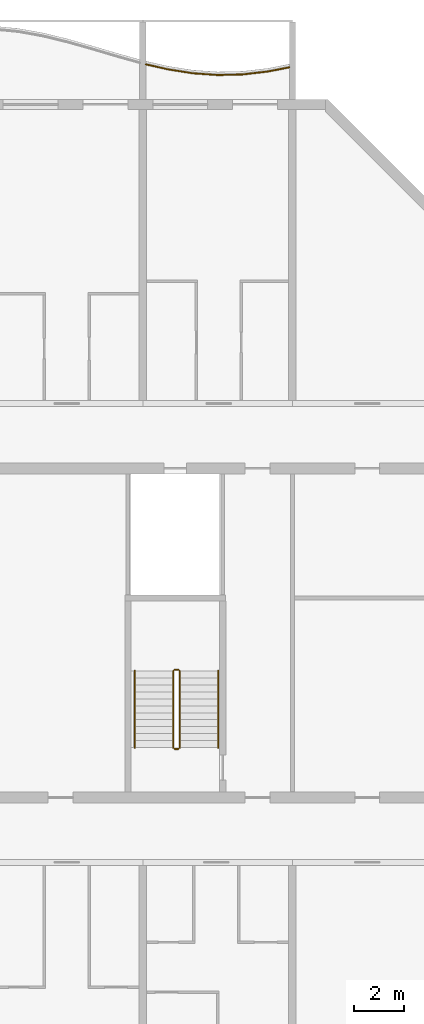
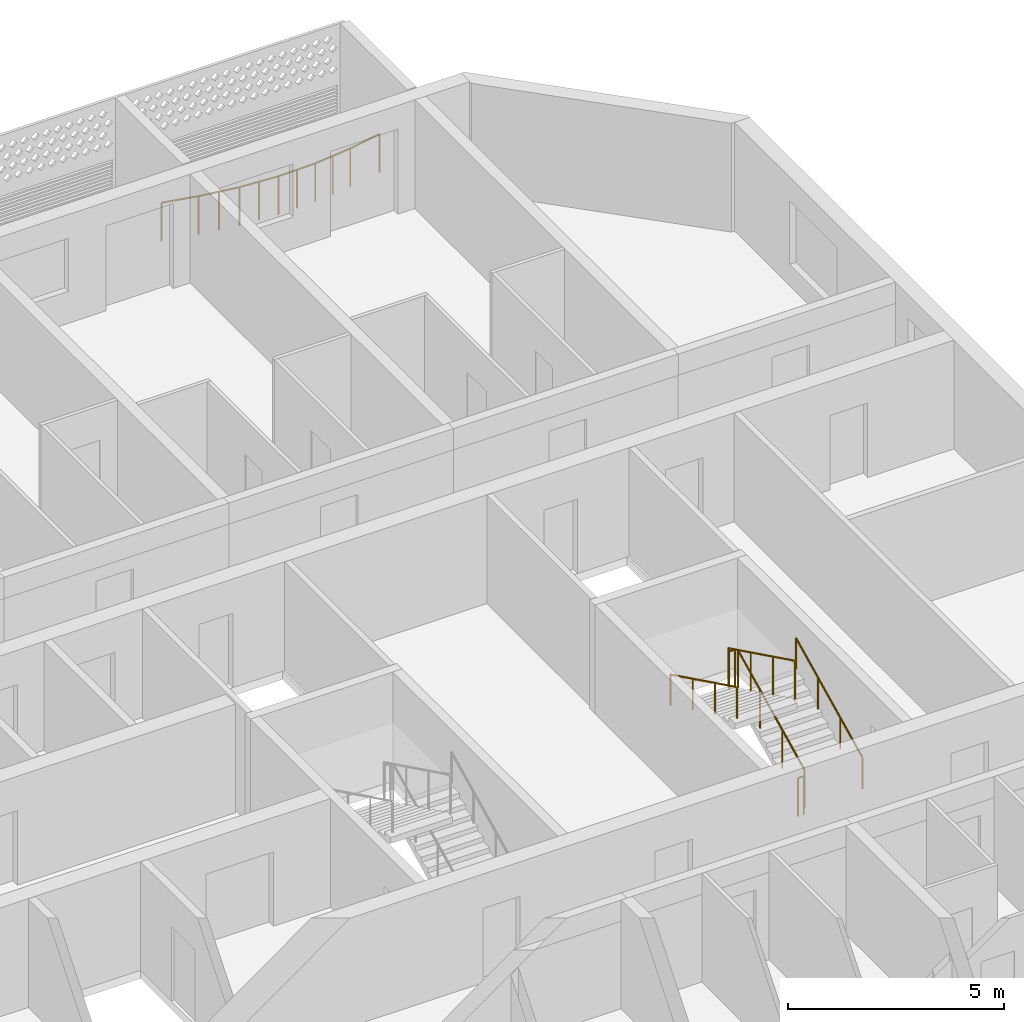
# One storey, part 32 of 33: 7 railings.
"""IFC4 building model written with IfcOpenShell, lengths in metres."""

from ifc_helpers import new_model, si_unit, direction, frame, origin, origin_2d, place, context, subcontext, project, spatial, circle, extrude, material, type_object, element, save


model = new_model("IFC4")

# Units and contexts
model_context = context("Model", 3, precision=1e-05, world=origin(), true_north=direction((0.0, 1.0)))
body_context = subcontext(model_context, "Body", "Model", "MODEL_VIEW")
ifc_project = project(units=[si_unit("LENGTHUNIT", "METRE"), si_unit("AREAUNIT", "SQUARE_METRE"), si_unit("VOLUMEUNIT", "CUBIC_METRE"), si_unit("PLANEANGLEUNIT", "RADIAN"), si_unit("MASSUNIT", "GRAM", prefix="KILO")], contexts=[model_context])

# Site, building, storey
site_placement = place(None, origin())
site = spatial("IfcSite", under=ifc_project, at=site_placement, CompositionType="ELEMENT")
building_placement = place(site_placement, origin())
building = spatial("IfcBuilding", under=site, at=building_placement, Name="Poui Terraces", CompositionType="ELEMENT")
storey_placement = place(building_placement, frame((0.0, 0.0, 132.300048828125)))
storey = spatial("IfcBuildingStorey", under=building, at=storey_placement, Name="L36", CompositionType="ELEMENT", Elevation=132.300048828125)

# Railings
ifc_material_1 = material(Name="Painted steel fretwork", Category="steel")
railing_type_1 = type_object("IfcRailingType", Name="BALCONY GUARD 1100", PredefinedType="GUARDRAIL", material=ifc_material_1)
railing_1_placement = place(storey_placement, frame((78.125, 44.00048828125, 0.0)))
element("IfcRailing", 1, at=railing_1_placement, inside=storey, type_object=railing_type_1, Name="BALCONY GUARD", PredefinedType="GUARDRAIL", context=body_context, shape_type="SweptSolid", body=[
    extrude(circle(Radius=0.02392578125, at=origin_2d()), frame((0.0, 0.0, 1.076171875), z_axis=(0.975340938218, -0.220703543777, 0.0), x_axis=(0.220703543777, 0.975340938218, 0.0)), (0.0, 0.0, 1.0), 0.897216796875),
    extrude(circle(Radius=0.02392578125, at=origin_2d()), frame((0.875, -0.197998046875, 1.076171875), z_axis=(0.9876787513, -0.156494997459, 0.0), x_axis=(0.156494997459, 0.9876787513, 0.0)), (0.0, 0.0, 1.0), 1.012451171875),
    extrude(circle(Radius=0.02392578125, at=origin_2d()), frame((1.875, -0.3564453125, 1.076171875), z_axis=(0.997485823051, -0.07086630237, 0.0), x_axis=(0.07086630237, 0.997485823051, 0.0)), (0.0, 0.0, 1.0), 1.00244140625),
    extrude(circle(Radius=0.02392578125, at=origin_2d()), frame((2.875, -0.427490234375, 1.076171875), z_axis=(0.999713901321, 0.023918936116, 0.0), x_axis=(-0.023918936116, 0.999713901321, 0.0)), (0.0, 0.0, 1.0), 1.000244140625),
    extrude(circle(Radius=0.02392578125, at=origin_2d()), frame((3.875, -0.403564453125, 1.076171875), z_axis=(0.993315142472, 0.11543408394, 0.0), x_axis=(-0.11543408394, 0.993315142472, 0.0)), (0.0, 0.0, 1.0), 1.0068359375),
    extrude(circle(Radius=0.02392578125, at=origin_2d()), frame((4.875, -0.287353515625, 1.076171875), z_axis=(0.981967340867, 0.189050632031, 0.0), x_axis=(-0.189050632031, 0.981967340867, 0.0)), (0.0, 0.0, 1.0), 0.89111328125),
    extrude(circle(Radius=0.02099609375, at=origin_2d()), origin(), (0.0, 0.0, 1.0), 1.052001953125),
    extrude(circle(Radius=0.02099609375, at=origin_2d()), frame((0.875, -0.197998046875, 0.0)), (0.0, 0.0, 1.0), 1.052001953125),
    extrude(circle(Radius=0.02099609375, at=origin_2d()), frame((1.375, -0.27734375, 0.0)), (0.0, 0.0, 1.0), 1.052001953125),
    extrude(circle(Radius=0.02099609375, at=origin_2d()), frame((1.875, -0.3564453125, 0.0)), (0.0, 0.0, 1.0), 1.052001953125),
    extrude(circle(Radius=0.02099609375, at=origin_2d()), frame((2.375, -0.39208984375, 0.0)), (0.0, 0.0, 1.0), 1.052001953125),
    extrude(circle(Radius=0.02099609375, at=origin_2d()), frame((2.875, -0.427490234375, 0.0)), (0.0, 0.0, 1.0), 1.052001953125),
    extrude(circle(Radius=0.02099609375, at=origin_2d()), frame((3.375, -0.41552734375, 0.0)), (0.0, 0.0, 1.0), 1.052001953125),
    extrude(circle(Radius=0.02099609375, at=origin_2d()), frame((3.875, -0.403564453125, 0.0)), (0.0, 0.0, 1.0), 1.052001953125),
    extrude(circle(Radius=0.02099609375, at=origin_2d()), frame((4.375, -0.345458984375, 0.0)), (0.0, 0.0, 1.0), 1.052001953125),
    extrude(circle(Radius=0.02099609375, at=origin_2d()), frame((4.875, -0.287353515625, 0.0)), (0.0, 0.0, 1.0), 1.052001953125),
    extrude(circle(Radius=0.02099609375, at=origin_2d()), frame((5.75, -0.118896484375, 0.0)), (0.0, 0.0, 1.0), 1.052001953125),
])
ifc_material_2 = material(Name="Galvanised steel balustrade", Category="steel")
railing_type_2 = type_object("IfcRailingType", Name="STAIR GUARD 1100", PredefinedType="GUARDRAIL", material=ifc_material_2)
railing_2_placement = place(storey_placement, frame((79.47509765625, 16.60009765625, 0.137451171875)))
element("IfcRailing", 2, at=railing_2_placement, inside=storey, type_object=railing_type_2, Name="L36 ST-E stair guard 1", PredefinedType="GUARDRAIL", context=body_context, shape_type="SweptSolid", body=[
    extrude(circle(Radius=0.02392578125, at=origin_2d()), frame((0.0, 0.0, 1.076171875), z_axis=(0.0, 0.897606190399, 0.440798283751), x_axis=(-1.0, 0.0, 0.0)), (0.0, 0.0, 1.0), 3.43115234375),
    extrude(circle(Radius=0.02099609375, at=origin_2d()), origin(), (0.0, 0.0, 1.0), 1.052001953125),
    extrude(circle(Radius=0.02099609375, at=origin_2d()), frame((0.0, 1.026611328125, 0.504150390625)), (0.0, 0.0, 1.0), 1.052001953125),
    extrude(circle(Radius=0.02099609375, at=origin_2d()), frame((0.0, 2.05322265625, 1.00830078125)), (0.0, 0.0, 1.0), 1.052001953125),
    extrude(circle(Radius=0.02099609375, at=origin_2d()), frame((0.0, 3.079833984375, 1.512451171875)), (0.0, 0.0, 1.0), 1.052001953125),
])
railing_3_placement = place(storey_placement, frame((79.425048828125, 19.72998046875, 1.64990234375)))
element("IfcRailing", 3, at=railing_3_placement, inside=storey, type_object=railing_type_2, Name="L36 ST-E stair guard 2", PredefinedType="GUARDRAIL", context=body_context, shape_type="SweptSolid", body=[
    extrude(circle(Radius=0.02392578125, at=origin_2d()), frame((0.0, 0.0, 1.076171875), z_axis=(-1.0, 0.0, 0.0), x_axis=(0.0, -1.0, 0.0)), (0.0, 0.0, 1.0), 0.150146484375),
    extrude(circle(Radius=0.02099609375, at=origin_2d()), origin(), (0.0, 0.0, 1.0), 1.052001953125),
    extrude(circle(Radius=0.02099609375, at=origin_2d()), frame((-0.150146484375, 0.0, 0.0)), (0.0, 0.0, 1.0), 1.052001953125),
])
railing_4_placement = place(storey_placement, frame((79.22509765625, 19.679931640625, 1.787353515625)))
element("IfcRailing", 4, at=railing_4_placement, inside=storey, type_object=railing_type_2, Name="L36 ST-E stair guard 3", PredefinedType="GUARDRAIL", context=body_context, shape_type="SweptSolid", body=[
    extrude(circle(Radius=0.02392578125, at=origin_2d()), frame((0.0, 0.0, 1.076171875), z_axis=(0.0, -0.897578036475, 0.440855609512), x_axis=(1.0, 0.0, 0.0)), (0.0, 0.0, 1.0), 3.43115234375),
    extrude(circle(Radius=0.02099609375, at=origin_2d()), origin(), (0.0, 0.0, 1.0), 1.052001953125),
    extrude(circle(Radius=0.02099609375, at=origin_2d()), frame((0.0, -1.026611328125, 0.504150390625)), (0.0, 0.0, 1.0), 1.052001953125),
    extrude(circle(Radius=0.02099609375, at=origin_2d()), frame((0.0, -2.05322265625, 1.008544921875)), (0.0, 0.0, 1.0), 1.052001953125),
    extrude(circle(Radius=0.02099609375, at=origin_2d()), frame((0.0, -3.079833984375, 1.5126953125)), (0.0, 0.0, 1.0), 1.052001953125),
])
railing_5_placement = place(storey_placement, frame((79.425048828125, 16.550048828125, 0.0)))
element("IfcRailing", 5, at=railing_5_placement, inside=storey, type_object=railing_type_2, Name="L36 ST-E stair guard 4", PredefinedType="GUARDRAIL", context=body_context, shape_type="SweptSolid", body=[
    extrude(circle(Radius=0.02392578125, at=origin_2d()), frame((0.0, 0.0, 1.076171875), z_axis=(-1.0, 0.0, 0.0), x_axis=(0.0, -1.0, 0.0)), (0.0, 0.0, 1.0), 0.150146484375),
    extrude(circle(Radius=0.02099609375, at=origin_2d()), origin(), (0.0, 0.0, 1.0), 1.052001953125),
    extrude(circle(Radius=0.02099609375, at=origin_2d()), frame((-0.150146484375, 0.0, 0.0)), (0.0, 0.0, 1.0), 1.052001953125),
])
ifc_material_3 = material(Name="Stainless steel handrail", Category="steel")
railing_type_3 = type_object("IfcRailingType", Name="STAIR HANDRAIL 900", PredefinedType="HANDRAIL", material=ifc_material_3)
railing_6_placement = place(storey_placement, frame((81.02490234375, 16.60009765625, 0.137451171875)))
element("IfcRailing", 6, at=railing_6_placement, inside=storey, type_object=railing_type_3, Name="L36 ST-E stair handrail 1", PredefinedType="HANDRAIL", context=body_context, shape_type="SweptSolid", body=[
    extrude(circle(Radius=0.02392578125, at=origin_2d()), frame((0.0, 0.0, 0.8759765625), z_axis=(0.0, 0.897606190399, 0.440798283751), x_axis=(-1.0, 0.0, 0.0)), (0.0, 0.0, 1.0), 3.43115234375),
    extrude(circle(Radius=0.02099609375, at=origin_2d()), origin(), (0.0, 0.0, 1.0), 0.851806640625),
    extrude(circle(Radius=0.02099609375, at=origin_2d()), frame((0.0, 1.026611328125, 0.504150390625)), (0.0, 0.0, 1.0), 0.851806640625),
    extrude(circle(Radius=0.02099609375, at=origin_2d()), frame((0.0, 2.05322265625, 1.00830078125)), (0.0, 0.0, 1.0), 0.851806640625),
    extrude(circle(Radius=0.02099609375, at=origin_2d()), frame((0.0, 3.079833984375, 1.512451171875)), (0.0, 0.0, 1.0), 0.851806640625),
])
railing_7_placement = place(storey_placement, frame((77.675048828125, 19.679931640625, 1.787353515625)))
element("IfcRailing", 7, at=railing_7_placement, inside=storey, type_object=railing_type_3, Name="L36 ST-E stair handrail 2", PredefinedType="HANDRAIL", context=body_context, shape_type="SweptSolid", body=[
    extrude(circle(Radius=0.02392578125, at=origin_2d()), frame((0.0, 0.0, 0.8759765625), z_axis=(0.0, -0.897578036475, 0.440855609512), x_axis=(1.0, 0.0, 0.0)), (0.0, 0.0, 1.0), 3.43115234375),
    extrude(circle(Radius=0.02099609375, at=origin_2d()), origin(), (0.0, 0.0, 1.0), 0.851806640625),
    extrude(circle(Radius=0.02099609375, at=origin_2d()), frame((0.0, -1.026611328125, 0.504150390625)), (0.0, 0.0, 1.0), 0.851806640625),
    extrude(circle(Radius=0.02099609375, at=origin_2d()), frame((0.0, -2.05322265625, 1.008544921875)), (0.0, 0.0, 1.0), 0.851806640625),
    extrude(circle(Radius=0.02099609375, at=origin_2d()), frame((0.0, -3.079833984375, 1.5126953125)), (0.0, 0.0, 1.0), 0.851806640625),
])

save(model, "model.ifc")
